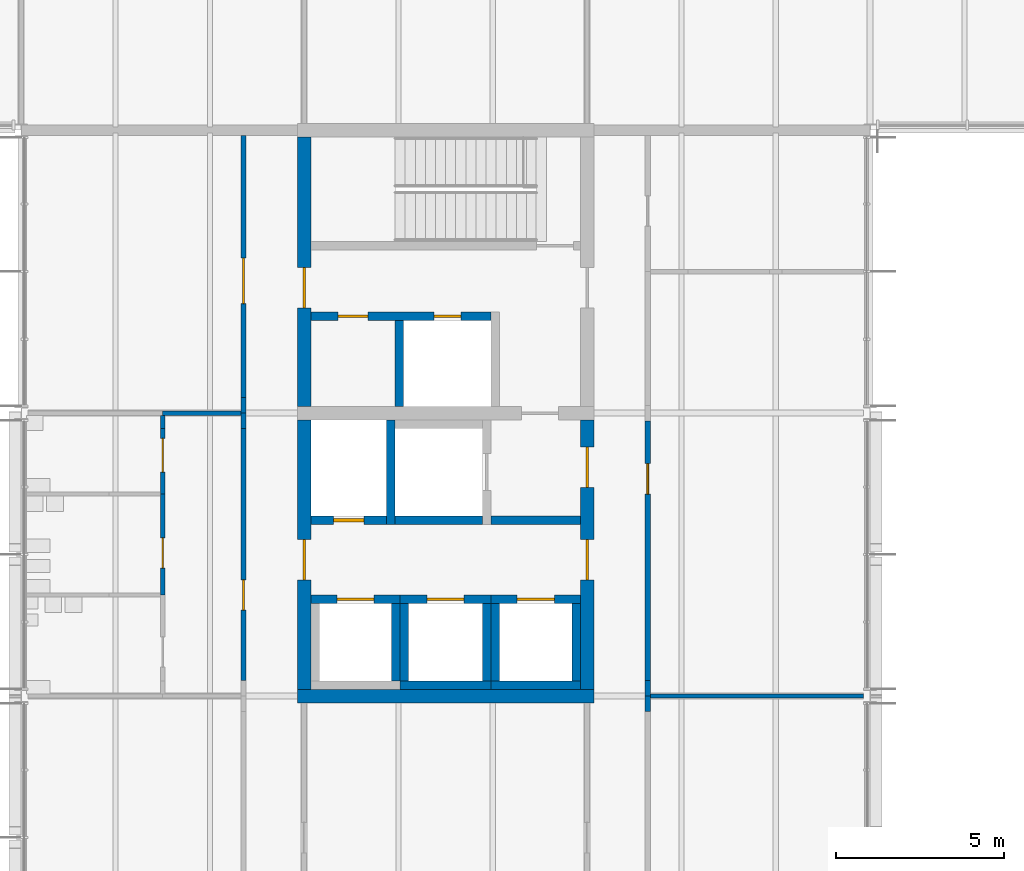
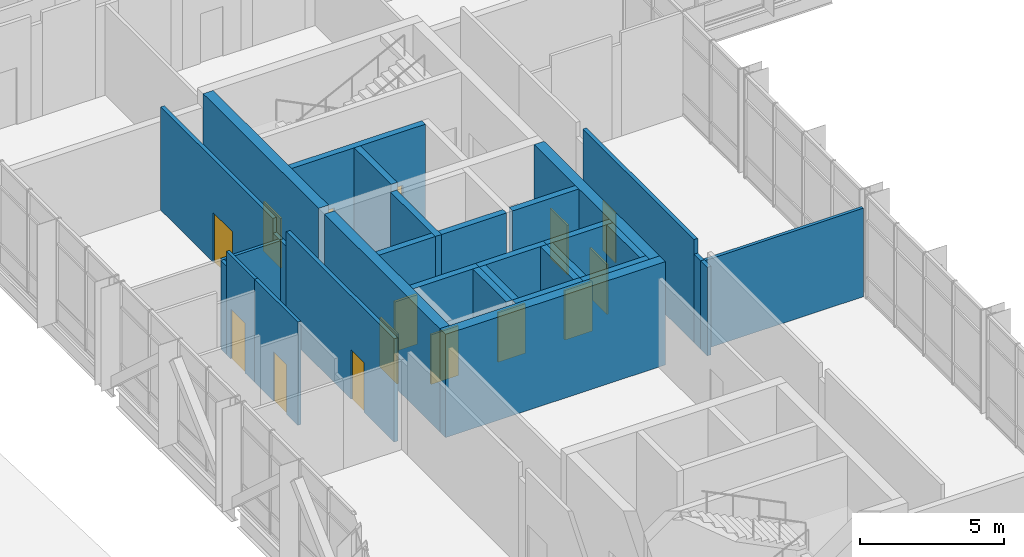
# One storey, part 35 of 76: 32 walls, 15 doors, 15 openings.
"""IFC4 building model written with IfcOpenShell, lengths in metres."""

import ifcopenshell
import ifcopenshell.guid

model = None  # the IFC model being written
_history = None  # IfcOwnerHistory: only IFC2X3 demands one
_inside = {}  # id of a spatial element -> (the spatial element, [elements in it])
_under = {}  # id of a project, library or spatial element -> (it, [spatial elements below it])
_declared = {}  # id of a project -> (the project, [libraries it declares])
_typed = {}  # id of a type object -> (the type object, [elements of that type])
_made_of = {}  # id of a material, layer set ... -> (it, [elements and type objects made of it])


def new_model(schema):
    """Start an empty IFC model of exactly this schema.

    Asked for "IFC4X3", IfcOpenShell would pick the latest addendum, in which some entities
    have other attributes; the version numbers below select the first issue.
    IFC2X3 requires an IfcOwnerHistory on every rooted entity: one is made here for all.
    """
    global model, _history
    if schema == "IFC4X3":
        model = ifcopenshell.file(schema_version=(4, 3, 0, 0))
    else:
        model = ifcopenshell.file(schema=schema)
    _inside.clear()
    _under.clear()
    _declared.clear()
    _typed.clear()
    _made_of.clear()
    _history = None
    if model.schema == "IFC2X3":
        org = make("IfcOrganization", Name="unknown")
        user = make(
            "IfcPersonAndOrganization",
            ThePerson=make("IfcPerson", FamilyName="unknown"),
            TheOrganization=org,
        )
        app = make(
            "IfcApplication",
            ApplicationDeveloper=org,
            Version="unknown",
            ApplicationFullName="unknown",
            ApplicationIdentifier="unknown",
        )
        _history = make(
            "IfcOwnerHistory",
            OwningUser=user,
            OwningApplication=app,
            ChangeAction="ADDED",
            CreationDate=0,
        )
    return model


def make(cls, **values):
    """One entity of the class cls with the attributes given. An attribute that is None is left unset."""
    return model.create_entity(
        cls, **{name: value for name, value in values.items() if value is not None}
    )


def rooted(cls, **values):
    """An entity with a GlobalId (a new one), such as an element, a storey or a relation."""
    return make(cls, GlobalId=ifcopenshell.guid.new(), OwnerHistory=_history, **values)


def si_unit(unit_type, name, prefix=None):
    """IfcSIUnit, for example si_unit("LENGTHUNIT", "METRE", prefix="MILLI")."""
    return make("IfcSIUnit", UnitType=unit_type, Prefix=prefix, Name=name)


def assignment(units):
    """IfcUnitAssignment: the units of a project."""
    return None if units is None else make("IfcUnitAssignment", Units=units)


def point(xyz):
    """IfcCartesianPoint."""
    return None if xyz is None else make("IfcCartesianPoint", Coordinates=xyz)


def direction(xyz):
    """IfcDirection."""
    return None if xyz is None else make("IfcDirection", DirectionRatios=xyz)


def frame(location, z_axis=None, x_axis=None):
    """IfcAxis2Placement3D, a coordinate frame: its origin and axes. An axis left out is left unset."""
    return make(
        "IfcAxis2Placement3D",
        Location=point(location),
        Axis=direction(z_axis),
        RefDirection=direction(x_axis),
    )


def frame_2d(location, x_axis=None):
    """IfcAxis2Placement2D, a coordinate frame in the plane: its origin and x axis."""
    return make(
        "IfcAxis2Placement2D", Location=point(location), RefDirection=direction(x_axis)
    )


def origin():
    """The frame at (0, 0, 0) with its axes left unset."""
    return frame((0.0, 0.0, 0.0))


def place(relative_to, where):
    """IfcLocalPlacement: puts the frame where relative to a parent placement (None: the world)."""
    return make(
        "IfcLocalPlacement", PlacementRelTo=relative_to, RelativePlacement=where
    )


def context(
    kind, dimensions, precision=None, world=None, true_north=None, identifier=None
):
    """IfcGeometricRepresentationContext, for example the 3D "Model" context."""
    return make(
        "IfcGeometricRepresentationContext",
        ContextIdentifier=identifier,
        ContextType=kind,
        CoordinateSpaceDimension=dimensions,
        Precision=precision,
        WorldCoordinateSystem=world,
        TrueNorth=true_north,
    )


def subcontext(parent, identifier, kind, view, scale=None):
    """IfcGeometricRepresentationSubContext, for example "Body" below "Model"."""
    return make(
        "IfcGeometricRepresentationSubContext",
        ContextIdentifier=identifier,
        ContextType=kind,
        ParentContext=parent,
        TargetScale=scale,
        TargetView=view,
    )


def project(units=None, contexts=None):
    """IfcProject with its units and contexts."""
    return rooted(
        "IfcProject",
        Name="project",
        RepresentationContexts=contexts,
        UnitsInContext=assignment(units),
    )


def spatial(cls, under=None, at=None, **own):
    """A site, building, storey or space (cls), placed at a placement, below another one or the project."""
    s = rooted(cls, ObjectPlacement=at, **own)
    if under is not None:
        _under.setdefault(under.id(), (under, []))[1].append(s)
    return s


def profile(cls, at=None, kind="AREA", **sizes):
    """A parametric profile (cls). Its sizes go by their IFC names, for example OverallWidth=200.0."""
    return make(cls, ProfileType=kind, Position=at, **sizes)


def rectangle(**sizes):
    """IfcRectangleProfileDef."""
    return profile("IfcRectangleProfileDef", **sizes)


def extrude(swept, where, along, depth):
    """IfcExtrudedAreaSolid: the profile swept, set in the frame where, extruded along a direction by depth."""
    return make(
        "IfcExtrudedAreaSolid",
        SweptArea=swept,
        Position=where,
        ExtrudedDirection=direction(along),
        Depth=depth,
    )


def shape(context_of_items, identifier, shape_type, items):
    """IfcShapeRepresentation: the items that make up one representation, for example the "Body"."""
    return make(
        "IfcShapeRepresentation",
        ContextOfItems=context_of_items,
        RepresentationIdentifier=identifier,
        RepresentationType=shape_type,
        Items=items,
    )


def material(Name=None, Category=None):
    """IfcMaterial."""
    return make("IfcMaterial", Name=Name, Category=Category)


def layer(
    of_material, thickness, ventilated=None, Name=None, Category=None, Priority=None
):
    """IfcMaterialLayer: one layer of a wall or slab, of a material (None: an air gap)."""
    return make(
        "IfcMaterialLayer",
        Material=of_material,
        LayerThickness=thickness,
        IsVentilated=ventilated,
        Name=Name,
        Category=Category,
        Priority=Priority,
    )


def layer_set(layers, Name=None):
    """IfcMaterialLayerSet."""
    return make("IfcMaterialLayerSet", MaterialLayers=layers, LayerSetName=Name)


def made_of(thing, what):
    """Note that an element or type object is made of a material, layer set ...; save() writes the relation."""
    if what is not None:
        _made_of.setdefault(what.id(), (what, []))[1].append(thing)
    return thing


def type_object(cls, material=None, **own):
    """A type object (cls), such as IfcWallType, which elements share."""
    return made_of(rooted(cls, **own), material)


def element(
    cls,
    number,
    at=None,
    inside=None,
    cuts=None,
    type_object=None,
    material=None,
    context=None,
    identifier="Body",
    shape_type=None,
    held_by="IfcProductDefinitionShape",
    body=None,
    shapes=None,
    **own,
):
    """One element of the class cls, such as IfcWall. Its Tag is "e" and its number.

    at: its placement. inside: the storey or other place that contains it. cuts: it is an
    opening in that element (IfcRelVoidsElement). A single representation is given by context,
    identifier, shape_type and body (its items); several are given by shapes. held_by: the class
    of the entity that holds the representations. save() writes the other relations.
    """
    e = rooted(cls, Tag="e%d" % number, ObjectPlacement=at, **own)
    if body is not None:
        shapes = [shape(context, identifier, shape_type, body)]
    if shapes is not None:
        e.Representation = make(held_by, Representations=shapes)
    if inside is not None:
        _inside.setdefault(inside.id(), (inside, []))[1].append(e)
    if cuts is not None:
        rooted(
            "IfcRelVoidsElement", RelatingBuildingElement=cuts, RelatedOpeningElement=e
        )
    if type_object is not None:
        _typed.setdefault(type_object.id(), (type_object, []))[1].append(e)
    return made_of(e, material)


def fill(opening, filler):
    """IfcRelFillsElement: the door or window that sits in an opening."""
    return rooted(
        "IfcRelFillsElement",
        RelatingOpeningElement=opening,
        RelatedBuildingElement=filler,
    )


def aggregate(whole, parts):
    """IfcRelAggregates: a whole, such as a stair, and the parts it consists of."""
    return rooted("IfcRelAggregates", RelatingObject=whole, RelatedObjects=parts)


def save(model, path):
    """Write the relations noted so far, then the file.

    IfcRelAggregates (storeys below a building ...), IfcRelContainedInSpatialStructure (elements
    in a storey), IfcRelDefinesByType, IfcRelAssociatesMaterial and IfcRelDeclares: one each for
    every whole, place, type object, material and project.
    """
    for whole, parts in _under.values():
        aggregate(whole, parts)
    for where, things in _inside.values():
        rooted(
            "IfcRelContainedInSpatialStructure",
            RelatedElements=things,
            RelatingStructure=where,
        )
    for kind, things in _typed.values():
        rooted("IfcRelDefinesByType", RelatedObjects=things, RelatingType=kind)
    for what, things in _made_of.values():
        rooted("IfcRelAssociatesMaterial", RelatedObjects=things, RelatingMaterial=what)
    for by, libraries in _declared.values():
        rooted("IfcRelDeclares", RelatingContext=by, RelatedDefinitions=libraries)
    model.write(path)


model = new_model("IFC4")

# Units and contexts
model_context = context("Model", 3, precision=1e-05, world=origin(), true_north=direction((0.0, 1.0)))
body_context = subcontext(model_context, "Body", "Model", "MODEL_VIEW")
ifc_project = project(units=[si_unit("LENGTHUNIT", "METRE"), si_unit("AREAUNIT", "SQUARE_METRE"), si_unit("VOLUMEUNIT", "CUBIC_METRE"), si_unit("PLANEANGLEUNIT", "RADIAN"), si_unit("MASSUNIT", "GRAM", prefix="KILO")], contexts=[model_context])

# Site, building, storey
site_placement = place(None, origin())
site = spatial("IfcSite", under=ifc_project, at=site_placement, CompositionType="ELEMENT")
building_placement = place(site_placement, origin())
building = spatial("IfcBuilding", under=site, at=building_placement, Name="Hlaing Beacon Police Headquarters", CompositionType="ELEMENT")
storey_placement = place(building_placement, frame((0.0, 0.0, 18.89990234375)))
storey = spatial("IfcBuildingStorey", under=building, at=storey_placement, Name="L04", CompositionType="ELEMENT", Elevation=18.89990234375)

# Wall
ifc_material_1 = material(Name="Concrete C60/75", Category="concrete")
ifc_layer_1 = layer(ifc_material_1, 0.39990234375)
ifc_layer_set_1 = layer_set([ifc_layer_1], Name="Concrete C60/75")
wall_type_1 = type_object("IfcWallType", Name="Core shear wall 400", PredefinedType="SHEAR", material=ifc_layer_set_1)
wall_1_placement = place(storey_placement, frame((109.0, 50.39990234375, 0.0), z_axis=(0.0, 0.0, 1.0), x_axis=(1.0, 0.0, 0.0)))
element("IfcWall", 1, at=wall_1_placement, inside=storey, type_object=wall_type_1, Name="Core shear wall", PredefinedType="SHEAR", context=body_context, shape_type="SweptSolid", body=[
    extrude(rectangle(XDim=8.800048828125, YDim=0.39990234375, at=frame_2d((4.39990234375, 0.0))), origin(), (0.0, 0.0, 1.0), 4.3701171875),
])

# Wall, opening, door
wall_2_placement = place(storey_placement, frame((109.199951171875, 50.60009765625, 0.0), z_axis=(0.0, 0.0, 1.0), x_axis=(0.0, 1.0, 0.0)))
wall_2 = element("IfcWall", 2, at=wall_2_placement, inside=storey, type_object=wall_type_1, Name="Core shear wall", PredefinedType="SHEAR", context=body_context, shape_type="SweptSolid", body=[
    extrude(rectangle(XDim=8.0, YDim=0.39990234375, at=frame_2d((4.0, 0.0))), origin(), (0.0, 0.0, 1.0), 4.3701171875),
])
opening_1_placement = place(wall_2_placement, frame((3.25, 0.0, 0.0)))
opening_1 = element("IfcOpeningElement", 3, at=opening_1_placement, cuts=wall_2, Name="Opening L04-901", PredefinedType="OPENING", context=body_context, shape_type="SweptSolid", body=[
    extrude(rectangle(XDim=1.199951171875, YDim=2.10009765625, at=frame_2d((0.60009765625, 1.050048828125))), frame((0.0, 0.2099609375, 0.0), z_axis=(0.0, -1.0, 0.0), x_axis=(1.0, 0.0, 0.0)), (0.0, 0.0, 1.0), 0.419921875),
])
ifc_material_2 = material(Name="Steel fire door leaf", Category="steel")
ifc_layer_2 = layer(ifc_material_2, 0.070068359375)
ifc_layer_set_2 = layer_set([ifc_layer_2], Name="Steel fire door leaf")
door_type_1 = type_object("IfcDoorType", Name="Steel fire door FD60S 1200x2100", OperationType="SINGLE_SWING_LEFT", PredefinedType="DOOR", material=ifc_layer_set_2)
door_1_placement = place(opening_1_placement, frame((1.199951171875, 0.0, 0.0), z_axis=(0.0, 0.0, 1.0), x_axis=(-1.0, 0.0, 0.0)))
door_1 = element("IfcDoor", 4, at=door_1_placement, inside=storey, type_object=door_type_1, Name="Door Lift Lobby Entry", OperationType="SINGLE_SWING_LEFT", OverallHeight=2.10009765625, OverallWidth=1.199951171875, PredefinedType="DOOR", context=body_context, shape_type="SweptSolid", body=[
    extrude(rectangle(XDim=1.199951171875, YDim=2.10009765625, at=frame_2d((0.599853515625, 1.050048828125))), frame((0.0, 0.034912109375, 0.0), z_axis=(0.0, -1.0, 0.0), x_axis=(1.0, 0.0, 0.0)), (0.0, 0.0, 1.0), 0.070068359375),
])
fill(opening_1, door_1)

# Wall, openings, doors
wall_3_placement = place(storey_placement, frame((117.60009765625, 50.60009765625, 0.0), z_axis=(0.0, 0.0, 1.0), x_axis=(0.0, 1.0, 0.0)))
wall_3 = element("IfcWall", 5, at=wall_3_placement, inside=storey, type_object=wall_type_1, Name="Core shear wall", PredefinedType="SHEAR", context=body_context, shape_type="SweptSolid", body=[
    extrude(rectangle(XDim=8.0, YDim=0.39990234375, at=frame_2d((4.0, 0.0))), origin(), (0.0, 0.0, 1.0), 4.3701171875),
])
opening_2_placement = place(wall_3_placement, frame((3.25, 0.0, 0.0)))
opening_2 = element("IfcOpeningElement", 6, at=opening_2_placement, cuts=wall_3, Name="Opening L04-902", PredefinedType="OPENING", context=body_context, shape_type="SweptSolid", body=[
    extrude(rectangle(XDim=1.199951171875, YDim=2.10009765625, at=frame_2d((0.60009765625, 1.050048828125))), frame((0.0, 0.2099609375, 0.0), z_axis=(0.0, -1.0, 0.0), x_axis=(1.0, 0.0, 0.0)), (0.0, 0.0, 1.0), 0.419921875),
])
opening_3_placement = place(wall_3_placement, frame((6.0, 0.0, 0.0)))
opening_3 = element("IfcOpeningElement", 7, at=opening_3_placement, cuts=wall_3, Name="Opening L04-903", PredefinedType="OPENING", context=body_context, shape_type="SweptSolid", body=[
    extrude(rectangle(XDim=1.199951171875, YDim=2.10009765625, at=frame_2d((0.60009765625, 1.050048828125))), frame((0.0, 0.2099609375, 0.0), z_axis=(0.0, -1.0, 0.0), x_axis=(1.0, 0.0, 0.0)), (0.0, 0.0, 1.0), 0.419921875),
])
door_2_placement = place(opening_2_placement, origin())
door_2 = element("IfcDoor", 8, at=door_2_placement, inside=storey, type_object=door_type_1, Name="Door Lift Lobby Entry", OperationType="SINGLE_SWING_RIGHT", OverallHeight=2.10009765625, OverallWidth=1.199951171875, PredefinedType="DOOR", context=body_context, shape_type="SweptSolid", body=[
    extrude(rectangle(XDim=1.199951171875, YDim=2.10009765625, at=frame_2d((0.60009765625, 1.050048828125))), frame((0.0, 0.03515625, 0.0), z_axis=(0.0, -1.0, 0.0), x_axis=(1.0, 0.0, 0.0)), (0.0, 0.0, 1.0), 0.070068359375),
])
fill(opening_2, door_2)
door_3_placement = place(opening_3_placement, origin())
door_3 = element("IfcDoor", 9, at=door_3_placement, inside=storey, type_object=door_type_1, Name="Door Firefighting Lobby Entry", OperationType="SINGLE_SWING_LEFT", OverallHeight=2.10009765625, OverallWidth=1.199951171875, PredefinedType="DOOR", context=body_context, shape_type="SweptSolid", body=[
    extrude(rectangle(XDim=1.199951171875, YDim=2.10009765625, at=frame_2d((0.60009765625, 1.050048828125))), frame((0.0, 0.03515625, 0.0), z_axis=(0.0, -1.0, 0.0), x_axis=(1.0, 0.0, 0.0)), (0.0, 0.0, 1.0), 0.070068359375),
])
fill(opening_3, door_3)

# Wall, opening, door
wall_4_placement = place(storey_placement, frame((109.199951171875, 59.0, 0.0), z_axis=(0.0, 0.0, 1.0), x_axis=(0.0, 1.0, 0.0)))
wall_4 = element("IfcWall", 10, at=wall_4_placement, inside=storey, type_object=wall_type_1, Name="Core shear wall", PredefinedType="SHEAR", context=body_context, shape_type="SweptSolid", body=[
    extrude(rectangle(XDim=8.0, YDim=0.39990234375, at=frame_2d((4.0, 0.0))), origin(), (0.0, 0.0, 1.0), 4.3701171875),
])
opening_4_placement = place(wall_4_placement, frame((2.925048828125, 0.0, 0.0)))
opening_4 = element("IfcOpeningElement", 11, at=opening_4_placement, cuts=wall_4, Name="Opening L04-907", PredefinedType="OPENING", context=body_context, shape_type="SweptSolid", body=[
    extrude(rectangle(XDim=1.199951171875, YDim=2.10009765625, at=frame_2d((0.60009765625, 1.050048828125))), frame((0.0, 0.2099609375, 0.0), z_axis=(0.0, -1.0, 0.0), x_axis=(1.0, 0.0, 0.0)), (0.0, 0.0, 1.0), 0.419921875),
])
door_4_placement = place(opening_4_placement, frame((1.199951171875, 0.0, 0.0), z_axis=(0.0, 0.0, 1.0), x_axis=(-1.0, 0.0, 0.0)))
door_4 = element("IfcDoor", 12, at=door_4_placement, inside=storey, type_object=door_type_1, Name="Door Stair Lobby ST-M Entry", OperationType="SINGLE_SWING_LEFT", OverallHeight=2.10009765625, OverallWidth=1.199951171875, PredefinedType="DOOR", context=body_context, shape_type="SweptSolid", body=[
    extrude(rectangle(XDim=1.199951171875, YDim=2.10009765625, at=frame_2d((0.599853515625, 1.050048828125))), frame((0.0, 0.034912109375, 0.0), z_axis=(0.0, -1.0, 0.0), x_axis=(1.0, 0.0, 0.0)), (0.0, 0.0, 1.0), 0.070068359375),
])
fill(opening_4, door_4)

# Walls
ifc_material_3 = material(Name="Gypsum board partition")
ifc_layer_3 = layer(ifc_material_3, 0.14990234375)
ifc_layer_set_3 = layer_set([ifc_layer_3], Name="Gypsum board partition")
wall_type_2 = type_object("IfcWallType", Name="Corridor wall EI 30 150", PredefinedType="PARTITIONING", material=ifc_layer_set_3)
wall_5_placement = place(storey_placement, frame((119.39990234375, 49.93994140625, 0.0), z_axis=(0.0, 0.0, 1.0), x_axis=(0.0, 1.0, 0.0)))
element("IfcWall", 13, at=wall_5_placement, inside=storey, type_object=wall_type_2, Name="Corridor wall EI 30 150", PredefinedType="PARTITIONING", context=body_context, shape_type="SweptSolid", body=[
    extrude(rectangle(XDim=0.4599609375, YDim=0.14990234375, at=frame_2d((0.22998046875, 0.0))), origin(), (0.0, 0.0, 1.0), 3.74609375),
])
wall_6_placement = place(storey_placement, frame((119.39990234375, 50.39990234375, 0.0), z_axis=(0.0, 0.0, 1.0), x_axis=(0.0, 1.0, 0.0)))
element("IfcWall", 14, at=wall_6_placement, inside=storey, type_object=wall_type_2, Name="Corridor wall EI 30 150", PredefinedType="PARTITIONING", context=body_context, shape_type="SweptSolid", body=[
    extrude(rectangle(XDim=0.460205078125, YDim=0.14990234375, at=frame_2d((0.22998046875, 0.0))), origin(), (0.0, 0.0, 1.0), 3.74609375),
])

# Wall, opening, door
wall_7_placement = place(storey_placement, frame((119.39990234375, 50.860107421875, 0.0), z_axis=(0.0, 0.0, 1.0), x_axis=(0.0, 1.0, 0.0)))
wall_7 = element("IfcWall", 15, at=wall_7_placement, inside=storey, type_object=wall_type_2, Name="Corridor wall EI 30 150", PredefinedType="PARTITIONING", context=body_context, shape_type="SweptSolid", body=[
    extrude(rectangle(XDim=7.7099609375, YDim=0.14990234375, at=frame_2d((3.85498046875, 0.0))), origin(), (0.0, 0.0, 1.0), 4.3701171875),
])
opening_5_placement = place(wall_7_placement, frame((5.5400390625, 0.0, 0.0)))
opening_5 = element("IfcOpeningElement", 16, at=opening_5_placement, cuts=wall_7, Name="Opening L04-002", PredefinedType="OPENING", context=body_context, shape_type="SweptSolid", body=[
    extrude(rectangle(XDim=0.89990234375, YDim=2.10009765625, at=frame_2d((0.449951171875, 1.050048828125))), frame((0.0, 0.0849609375, 0.0), z_axis=(0.0, -1.0, 0.0), x_axis=(1.0, 0.0, 0.0)), (0.0, 0.0, 1.0), 0.169921875),
])
ifc_material_4 = material(Name="Hardwood door leaf", Category="wood")
ifc_layer_4 = layer(ifc_material_4, 0.050048828125)
ifc_layer_set_4 = layer_set([ifc_layer_4], Name="Hardwood door leaf")
door_type_2 = type_object("IfcDoorType", Name="Fire door FD30S 900x2100", OperationType="SINGLE_SWING_LEFT", PredefinedType="DOOR", material=ifc_layer_set_4)
door_5_placement = place(opening_5_placement, frame((0.89990234375, 0.0, 0.0), z_axis=(0.0, 0.0, 1.0), x_axis=(-1.0, 0.0, 0.0)))
door_5 = element("IfcDoor", 17, at=door_5_placement, inside=storey, type_object=door_type_2, Name="Door Source Management Office", OperationType="SINGLE_SWING_LEFT", OverallHeight=2.10009765625, OverallWidth=0.89990234375, PredefinedType="DOOR", context=body_context, shape_type="SweptSolid", body=[
    extrude(rectangle(XDim=0.89990234375, YDim=2.10009765625, at=frame_2d((0.449951171875, 1.050048828125))), frame((0.0, 0.025146484375, 0.0), z_axis=(0.0, -1.0, 0.0), x_axis=(1.0, 0.0, 0.0)), (0.0, 0.0, 1.0), 0.050048828125),
])
fill(opening_5, door_5)

wall_8_placement = place(storey_placement, frame((107.39990234375, 50.860107421875, 0.0), z_axis=(0.0, 0.0, 1.0), x_axis=(0.0, 1.0, 0.0)))
wall_8 = element("IfcWall", 18, at=wall_8_placement, inside=storey, type_object=wall_type_2, Name="Corridor wall EI 30 150", PredefinedType="PARTITIONING", context=body_context, shape_type="SweptSolid", body=[
    extrude(rectangle(XDim=7.47998046875, YDim=0.14990234375, at=frame_2d((3.739990234375, 0.0))), origin(), (0.0, 0.0, 1.0), 4.3701171875),
])
opening_6_placement = place(wall_8_placement, frame((2.090087890625, 0.0, 0.0)))
opening_6 = element("IfcOpeningElement", 19, at=opening_6_placement, cuts=wall_8, Name="Opening L04-009", PredefinedType="OPENING", context=body_context, shape_type="SweptSolid", body=[
    extrude(rectangle(XDim=0.89990234375, YDim=2.10009765625, at=frame_2d((0.449951171875, 1.050048828125))), frame((0.0, 0.0849609375, 0.0), z_axis=(0.0, -1.0, 0.0), x_axis=(1.0, 0.0, 0.0)), (0.0, 0.0, 1.0), 0.169921875),
])
door_6_placement = place(opening_6_placement, origin())
door_6 = element("IfcDoor", 20, at=door_6_placement, inside=storey, type_object=door_type_2, Name="Door WC Lobby", OperationType="SINGLE_SWING_LEFT", OverallHeight=2.10009765625, OverallWidth=0.89990234375, PredefinedType="DOOR", context=body_context, shape_type="SweptSolid", body=[
    extrude(rectangle(XDim=0.89990234375, YDim=2.10009765625, at=frame_2d((0.449951171875, 1.050048828125))), frame((0.0, 0.02490234375, 0.0), z_axis=(0.0, -1.0, 0.0), x_axis=(1.0, 0.0, 0.0)), (0.0, 0.0, 1.0), 0.050048828125),
])
fill(opening_6, door_6)

# Walls
for number, where, z_axis, x_axis, name in (
    (21, (107.39990234375, 58.340087890625, 0.0), (0.0, 0.0, 1.0), (0.0, 1.0, 0.0), "Corridor wall EI 30 150"),
    (22, (107.39990234375, 58.800048828125, 0.0), (0.0, 0.0, 1.0), (0.0, 1.0, 0.0), "Corridor wall EI 30 150"),
):
    element("IfcWall", number, at=place(storey_placement, frame(where, z_axis=z_axis, x_axis=x_axis)), inside=storey, type_object=wall_type_2, Name=name, PredefinedType="PARTITIONING", context=body_context, shape_type="SweptSolid", body=[
        extrude(rectangle(XDim=0.4599609375, YDim=0.14990234375, at=frame_2d((0.22998046875, 0.0))), origin(), (0.0, 0.0, 1.0), 3.74609375),
    ])

# Wall, opening, door
wall_9_placement = place(storey_placement, frame((107.39990234375, 59.260009765625, 0.0), z_axis=(0.0, 0.0, 1.0), x_axis=(0.0, 1.0, 0.0)))
wall_9 = element("IfcWall", 23, at=wall_9_placement, inside=storey, type_object=wall_type_2, Name="Corridor wall EI 30 150", PredefinedType="PARTITIONING", context=body_context, shape_type="SweptSolid", body=[
    extrude(rectangle(XDim=7.7900390625, YDim=0.14990234375, at=frame_2d((3.89501953125, 0.0))), origin(), (0.0, 0.0, 1.0), 4.3701171875),
])
opening_7_placement = place(wall_9_placement, frame((2.7900390625, 0.0, 0.0)))
opening_7 = element("IfcOpeningElement", 24, at=opening_7_placement, cuts=wall_9, Name="Opening L04-011", PredefinedType="OPENING", context=body_context, shape_type="SweptSolid", body=[
    extrude(rectangle(XDim=1.35009765625, YDim=2.10009765625, at=frame_2d((0.675048828125, 1.050048828125))), frame((0.0, 0.0849609375, 0.0), z_axis=(0.0, -1.0, 0.0), x_axis=(1.0, 0.0, 0.0)), (0.0, 0.0, 1.0), 0.169921875),
])
ifc_material_5 = material(Name="Hardwood door leaf", Category="wood")
ifc_layer_5 = layer(ifc_material_5, 0.050048828125)
ifc_layer_set_5 = layer_set([ifc_layer_5], Name="Hardwood door leaf")
door_type_3 = type_object("IfcDoorType", Name="Fire leaf-and-a-half door FD30S 1350x2100", OperationType="DOUBLE_DOOR_SINGLE_SWING", PredefinedType="DOOR", material=ifc_layer_set_5)
door_7_placement = place(opening_7_placement, origin())
door_7 = element("IfcDoor", 25, at=door_7_placement, inside=storey, type_object=door_type_3, Name="Door Serious and Organised Crime Analysts' Office", OperationType="DOUBLE_DOOR_SINGLE_SWING", OverallHeight=2.10009765625, OverallWidth=1.35009765625, PredefinedType="DOOR", context=body_context, shape_type="SweptSolid", body=[
    extrude(rectangle(XDim=1.35009765625, YDim=2.10009765625, at=frame_2d((0.675048828125, 1.050048828125))), frame((0.0, 0.02490234375, 0.0), z_axis=(0.0, -1.0, 0.0), x_axis=(1.0, 0.0, 0.0)), (0.0, 0.0, 1.0), 0.050048828125),
])
fill(opening_7, door_7)

# Wall
ifc_material_6 = material(Name="Gypsum board partition")
ifc_layer_6 = layer(ifc_material_6, 0.125)
ifc_layer_set_6 = layer_set([ifc_layer_6], Name="Gypsum board partition")
wall_type_3 = type_object("IfcWallType", Name="Partition 125", PredefinedType="PARTITIONING", material=ifc_layer_set_6)
wall_10_placement = place(storey_placement, frame((119.47509765625, 50.39990234375, 0.0), z_axis=(0.0, 0.0, 1.0), x_axis=(1.0, 0.0, 0.0)))
element("IfcWall", 26, at=wall_10_placement, inside=storey, type_object=wall_type_3, Name="Partition 125", PredefinedType="PARTITIONING", context=body_context, shape_type="SweptSolid", body=[
    extrude(rectangle(XDim=6.327880859375, YDim=0.125, at=frame_2d((3.1640625, 0.0))), origin(), (0.0, 0.0, 1.0), 3.74609375),
])

# Wall, opening, door
wall_11_placement = place(storey_placement, frame((105.0, 56.39990234375, 0.0), z_axis=(0.0, 0.0, 1.0), x_axis=(0.0, 1.0, 0.0)))
wall_11 = element("IfcWall", 27, at=wall_11_placement, inside=storey, type_object=wall_type_3, Name="Partition 125", PredefinedType="PARTITIONING", context=body_context, shape_type="SweptSolid", body=[
    extrude(rectangle(XDim=1.9521484375, YDim=0.125, at=frame_2d((0.97607421875, 0.0))), origin(), (0.0, 0.0, 1.0), 4.3701171875),
])
opening_8_placement = place(wall_11_placement, frame((0.64990234375, 0.0, 0.0)))
opening_8 = element("IfcOpeningElement", 28, at=opening_8_placement, cuts=wall_11, Name="Opening L04-007", PredefinedType="OPENING", context=body_context, shape_type="SweptSolid", body=[
    extrude(rectangle(XDim=1.0, YDim=2.10009765625, at=frame_2d((0.5, 1.050048828125))), frame((0.0, 0.072509765625, 0.0), z_axis=(0.0, -1.0, 0.0), x_axis=(1.0, 0.0, 0.0)), (0.0, 0.0, 1.0), 0.14501953125),
])
ifc_material_7 = material(Name="Hardwood door leaf", Category="wood")
ifc_layer_7 = layer(ifc_material_7, 0.0400390625)
ifc_layer_set_7 = layer_set([ifc_layer_7], Name="Hardwood door leaf")
door_type_4 = type_object("IfcDoorType", Name="Door 1000x2100", OperationType="SINGLE_SWING_LEFT", PredefinedType="DOOR", material=ifc_layer_set_7)
door_8_placement = place(opening_8_placement, origin())
door_8 = element("IfcDoor", 29, at=door_8_placement, inside=storey, type_object=door_type_4, Name="Door Accessible WC", OperationType="SINGLE_SWING_LEFT", OverallHeight=2.10009765625, OverallWidth=1.0, PredefinedType="DOOR", context=body_context, shape_type="SweptSolid", body=[
    extrude(rectangle(XDim=1.0, YDim=2.10009765625, at=frame_2d((0.5, 1.050048828125))), frame((0.0, 0.02001953125, 0.0), z_axis=(0.0, -1.0, 0.0), x_axis=(1.0, 0.0, 0.0)), (0.0, 0.0, 1.0), 0.0400390625),
])
fill(opening_8, door_8)

# Wall
wall_12_placement = place(storey_placement, frame((105.0, 58.35205078125, 0.0), z_axis=(0.0, 0.0, 1.0), x_axis=(0.0, 1.0, 0.0)))
element("IfcWall", 30, at=wall_12_placement, inside=storey, type_object=wall_type_3, Name="Partition 125", PredefinedType="PARTITIONING", context=body_context, shape_type="SweptSolid", body=[
    extrude(rectangle(XDim=0.385009765625, YDim=0.125, at=frame_2d((0.1923828125, 0.0))), origin(), (0.0, 0.0, 1.0), 3.74609375),
])

# Wall, opening, door
wall_13_placement = place(storey_placement, frame((105.0, 53.39990234375, 0.0), z_axis=(0.0, 0.0, 1.0), x_axis=(0.0, 1.0, 0.0)))
wall_13 = element("IfcWall", 31, at=wall_13_placement, inside=storey, type_object=wall_type_3, Name="Partition 125", PredefinedType="PARTITIONING", context=body_context, shape_type="SweptSolid", body=[
    extrude(rectangle(XDim=3.0, YDim=0.125, at=frame_2d((1.5, 0.0))), origin(), (0.0, 0.0, 1.0), 4.3701171875),
])
opening_9_placement = place(wall_13_placement, frame((0.800048828125, 0.0, 0.0)))
opening_9 = element("IfcOpeningElement", 32, at=opening_9_placement, cuts=wall_13, Name="Opening L04-008", PredefinedType="OPENING", context=body_context, shape_type="SweptSolid", body=[
    extrude(rectangle(XDim=0.89990234375, YDim=2.10009765625, at=frame_2d((0.449951171875, 1.050048828125))), frame((0.0, 0.072509765625, 0.0), z_axis=(0.0, -1.0, 0.0), x_axis=(1.0, 0.0, 0.0)), (0.0, 0.0, 1.0), 0.14501953125),
])
ifc_material_8 = material(Name="Hardwood door leaf", Category="wood")
ifc_layer_8 = layer(ifc_material_8, 0.0400390625)
ifc_layer_set_8 = layer_set([ifc_layer_8], Name="Hardwood door leaf")
door_type_5 = type_object("IfcDoorType", Name="Door 900x2100", OperationType="SINGLE_SWING_LEFT", PredefinedType="DOOR", material=ifc_layer_set_8)
door_9_placement = place(opening_9_placement, origin())
door_9 = element("IfcDoor", 33, at=door_9_placement, inside=storey, type_object=door_type_5, Name="Door Female WC", OperationType="SINGLE_SWING_RIGHT", OverallHeight=2.10009765625, OverallWidth=0.89990234375, PredefinedType="DOOR", context=body_context, shape_type="SweptSolid", body=[
    extrude(rectangle(XDim=0.89990234375, YDim=2.10009765625, at=frame_2d((0.449951171875, 1.050048828125))), frame((0.0, 0.02001953125, 0.0), z_axis=(0.0, -1.0, 0.0), x_axis=(1.0, 0.0, 0.0)), (0.0, 0.0, 1.0), 0.0400390625),
])
fill(opening_9, door_9)

# Wall
wall_14_placement = place(storey_placement, frame((105.0, 58.800048828125, 0.0), z_axis=(0.0, 0.0, 1.0), x_axis=(1.0, 0.0, 0.0)))
element("IfcWall", 34, at=wall_14_placement, inside=storey, type_object=wall_type_3, Name="Partition 125", PredefinedType="PARTITIONING", context=body_context, shape_type="SweptSolid", body=[
    extrude(rectangle(XDim=2.324951171875, YDim=0.125, at=frame_2d((1.16259765625, 0.0))), origin(), (0.0, 0.0, 1.0), 3.74609375),
])

# Wall, opening, door
ifc_material_9 = material(Name="Concrete C40/50", Category="concrete")
ifc_layer_9 = layer(ifc_material_9, 0.25)
ifc_layer_set_9 = layer_set([ifc_layer_9], Name="Concrete C40/50")
wall_type_4 = type_object("IfcWallType", Name="Shaft wall 250", PredefinedType="SOLIDWALL", material=ifc_layer_set_9)
wall_15_placement = place(storey_placement, frame((109.39990234375, 55.625, 0.0), z_axis=(0.0, 0.0, 1.0), x_axis=(1.0, 0.0, 0.0)))
wall_15 = element("IfcWall", 35, at=wall_15_placement, inside=storey, type_object=wall_type_4, Name="Lobby wall", PredefinedType="SOLIDWALL", context=body_context, shape_type="SweptSolid", body=[
    extrude(rectangle(XDim=2.25, YDim=0.25, at=frame_2d((1.125, 0.0))), origin(), (0.0, 0.0, 1.0), 4.3701171875),
])
opening_10_placement = place(wall_15_placement, frame((0.675048828125, 0.0, 0.0)))
opening_10 = element("IfcOpeningElement", 36, at=opening_10_placement, cuts=wall_15, Name="Opening L04-905", PredefinedType="OPENING", context=body_context, shape_type="SweptSolid", body=[
    extrude(rectangle(XDim=0.89990234375, YDim=2.10009765625, at=frame_2d((0.449951171875, 1.050048828125))), frame((0.0, 0.135009765625, 0.0), z_axis=(0.0, -1.0, 0.0), x_axis=(1.0, 0.0, 0.0)), (0.0, 0.0, 1.0), 0.27001953125),
])
ifc_material_10 = material(Name="Steel fire door leaf", Category="steel")
ifc_layer_10 = layer(ifc_material_10, 0.10009765625)
ifc_layer_set_10 = layer_set([ifc_layer_10], Name="Steel fire door leaf")
door_type_6 = type_object("IfcDoorType", Name="Steel fire door FD120 900x2100", OperationType="SINGLE_SWING_LEFT", PredefinedType="DOOR", material=ifc_layer_set_10)
door_10_placement = place(opening_10_placement, origin())
door_10 = element("IfcDoor", 37, at=door_10_placement, inside=storey, type_object=door_type_6, Name="Door Electrical Riser Room", OperationType="SINGLE_SWING_LEFT", OverallHeight=2.10009765625, OverallWidth=0.89990234375, PredefinedType="DOOR", context=body_context, shape_type="SweptSolid", body=[
    extrude(rectangle(XDim=0.89990234375, YDim=2.10009765625, at=frame_2d((0.449951171875, 1.050048828125))), frame((0.0, 0.050048828125, 0.0), z_axis=(0.0, -1.0, 0.0), x_axis=(1.0, 0.0, 0.0)), (0.0, 0.0, 1.0), 0.10009765625),
])
fill(opening_10, door_10)

# Wall
wall_16_placement = place(storey_placement, frame((114.75, 55.625, 0.0), z_axis=(0.0, 0.0, 1.0), x_axis=(1.0, 0.0, 0.0)))
element("IfcWall", 38, at=wall_16_placement, inside=storey, type_object=wall_type_4, Name="Firefighting lobby wall", PredefinedType="SOLIDWALL", context=body_context, shape_type="SweptSolid", body=[
    extrude(rectangle(XDim=2.64990234375, YDim=0.25, at=frame_2d((1.324951171875, 0.0))), origin(), (0.0, 0.0, 1.0), 4.3701171875),
])

# Wall, openings, doors
wall_17_placement = place(storey_placement, frame((114.75, 61.675048828125, 0.0), z_axis=(0.0, 0.0, 1.0), x_axis=(-1.0, 0.0, 0.0)))
wall_17 = element("IfcWall", 39, at=wall_17_placement, inside=storey, type_object=wall_type_4, Name="Lobby wall", PredefinedType="SOLIDWALL", context=body_context, shape_type="SweptSolid", body=[
    extrude(rectangle(XDim=5.35009765625, YDim=0.25, at=frame_2d((2.675048828125, 0.0))), origin(), (0.0, 0.0, 1.0), 4.3701171875),
])
opening_11_placement = place(wall_17_placement, frame((3.64990234375, 0.0, 0.0)))
opening_11 = element("IfcOpeningElement", 40, at=opening_11_placement, cuts=wall_17, Name="Opening L04-906", PredefinedType="OPENING", context=body_context, shape_type="SweptSolid", body=[
    extrude(rectangle(XDim=0.89990234375, YDim=2.10009765625, at=frame_2d((0.449951171875, 1.050048828125))), frame((0.0, 0.135009765625, 0.0), z_axis=(0.0, -1.0, 0.0), x_axis=(1.0, 0.0, 0.0)), (0.0, 0.0, 1.0), 0.27001953125),
])
opening_12_placement = place(wall_17_placement, frame((0.89990234375, 0.0, 0.0)))
opening_12 = element("IfcOpeningElement", 41, at=opening_12_placement, cuts=wall_17, Name="Opening L04-909", PredefinedType="OPENING", context=body_context, shape_type="SweptSolid", body=[
    extrude(rectangle(XDim=0.800048828125, YDim=2.10009765625, at=frame_2d((0.39990234375, 1.050048828125))), frame((0.0, 0.135009765625, 0.0), z_axis=(0.0, -1.0, 0.0), x_axis=(1.0, 0.0, 0.0)), (0.0, 0.0, 1.0), 0.27001953125),
])
ifc_material_11 = material(Name="Steel fire door leaf", Category="steel")
ifc_layer_11 = layer(ifc_material_11, 0.070068359375)
ifc_layer_set_11 = layer_set([ifc_layer_11], Name="Steel fire door leaf")
door_type_7 = type_object("IfcDoorType", Name="Steel fire door FD60 800x2100", OperationType="SINGLE_SWING_LEFT", PredefinedType="DOOR", material=ifc_layer_set_11)
door_11_placement = place(opening_12_placement, origin())
door_11 = element("IfcDoor", 42, at=door_11_placement, inside=storey, type_object=door_type_7, Name="Door Services Riser", OperationType="SINGLE_SWING_RIGHT", OverallHeight=2.10009765625, OverallWidth=0.800048828125, PredefinedType="DOOR", context=body_context, shape_type="SweptSolid", body=[
    extrude(rectangle(XDim=0.800048828125, YDim=2.10009765625, at=frame_2d((0.39990234375, 1.050048828125))), frame((0.0, 0.03515625, 0.0), z_axis=(0.0, -1.0, 0.0), x_axis=(1.0, 0.0, 0.0)), (0.0, 0.0, 1.0), 0.070068359375),
])
fill(opening_12, door_11)
ifc_material_12 = material(Name="Steel fire door leaf", Category="steel")
ifc_layer_12 = layer(ifc_material_12, 0.070068359375)
ifc_layer_set_12 = layer_set([ifc_layer_12], Name="Steel fire door leaf")
door_type_8 = type_object("IfcDoorType", Name="Steel fire door FD60 900x2100", OperationType="SINGLE_SWING_LEFT", PredefinedType="DOOR", material=ifc_layer_set_12)
door_12_placement = place(opening_11_placement, origin())
door_12 = element("IfcDoor", 43, at=door_12_placement, inside=storey, type_object=door_type_8, Name="Door Cleaners' Store", OperationType="SINGLE_SWING_LEFT", OverallHeight=2.10009765625, OverallWidth=0.89990234375, PredefinedType="DOOR", context=body_context, shape_type="SweptSolid", body=[
    extrude(rectangle(XDim=0.89990234375, YDim=2.10009765625, at=frame_2d((0.449951171875, 1.050048828125))), frame((0.0, 0.03515625, 0.0), z_axis=(0.0, -1.0, 0.0), x_axis=(1.0, 0.0, 0.0)), (0.0, 0.0, 1.0), 0.070068359375),
])
fill(opening_11, door_12)

# Walls
wall_18_placement = place(storey_placement, frame((112.02490234375, 61.550048828125, 0.0), z_axis=(0.0, 0.0, 1.0), x_axis=(0.0, -1.0, 0.0)))
element("IfcWall", 44, at=wall_18_placement, inside=storey, type_object=wall_type_4, Name="Riser wall", PredefinedType="SOLIDWALL", context=body_context, shape_type="SweptSolid", body=[
    extrude(rectangle(XDim=2.550048828125, YDim=0.25, at=frame_2d((1.27490234375, 0.0))), origin(), (0.0, 0.0, 1.0), 4.3701171875),
])
wall_19_placement = place(storey_placement, frame((111.89990234375, 55.625, 0.0), z_axis=(0.0, 0.0, 1.0), x_axis=(1.0, 0.0, 0.0)))
element("IfcWall", 45, at=wall_19_placement, inside=storey, type_object=wall_type_4, Name="Lift shaft wall FL1", PredefinedType="SOLIDWALL", context=body_context, shape_type="SweptSolid", body=[
    extrude(rectangle(XDim=2.60009765625, YDim=0.25, at=frame_2d((1.300048828125, 0.0))), origin(), (0.0, 0.0, 1.0), 4.3701171875),
])
wall_20_placement = place(storey_placement, frame((111.77490234375, 55.5, 0.0), z_axis=(0.0, 0.0, 1.0), x_axis=(0.0, 1.0, 0.0)))
element("IfcWall", 46, at=wall_20_placement, inside=storey, type_object=wall_type_4, Name="Lift shaft wall FL1", PredefinedType="SOLIDWALL", context=body_context, shape_type="SweptSolid", body=[
    extrude(rectangle(XDim=3.10009765625, YDim=0.25, at=frame_2d((1.550048828125, 0.0))), origin(), (0.0, 0.0, 1.0), 4.3701171875),
])
wall_21_placement = place(storey_placement, frame((111.925048828125, 50.85009765625, 0.0), z_axis=(0.0, 0.0, 1.0), x_axis=(0.0, 1.0, 0.0)))
element("IfcWall", 47, at=wall_21_placement, inside=storey, type_object=wall_type_4, Name="Lift shaft wall PL7", PredefinedType="SOLIDWALL", context=body_context, shape_type="SweptSolid", body=[
    extrude(rectangle(XDim=2.2998046875, YDim=0.25, at=frame_2d((1.14990234375, 0.0))), origin(), (0.0, 0.0, 1.0), 4.3701171875),
])

# Wall, opening, door
wall_22_placement = place(storey_placement, frame((109.39990234375, 53.27490234375, 0.0), z_axis=(0.0, 0.0, 1.0), x_axis=(1.0, 0.0, 0.0)))
wall_22 = element("IfcWall", 48, at=wall_22_placement, inside=storey, type_object=wall_type_4, Name="Lift shaft wall PL7", PredefinedType="SOLIDWALL", context=body_context, shape_type="SweptSolid", body=[
    extrude(rectangle(XDim=2.650146484375, YDim=0.25, at=frame_2d((1.3251953125, 0.0))), origin(), (0.0, 0.0, 1.0), 4.3701171875),
])
opening_13_placement = place(wall_22_placement, frame((0.77490234375, 0.0, 0.0)))
opening_13 = element("IfcOpeningElement", 49, at=opening_13_placement, cuts=wall_22, Name="Opening LD-PL7-L04", PredefinedType="OPENING", context=body_context, shape_type="SweptSolid", body=[
    extrude(rectangle(XDim=1.10009765625, YDim=2.10009765625, at=frame_2d((0.550048828125, 1.050048828125))), frame((0.0, 0.135009765625, 0.0), z_axis=(0.0, -1.0, 0.0), x_axis=(1.0, 0.0, 0.0)), (0.0, 0.0, 1.0), 0.27001953125),
])
ifc_material_13 = material(Name="Stainless steel lift landing door", Category="steel")
ifc_layer_13 = layer(ifc_material_13, 0.06005859375)
ifc_layer_set_13 = layer_set([ifc_layer_13], Name="Stainless steel lift landing door")
door_type_9 = type_object("IfcDoorType", Name="Lift landing door 1100x2100", OperationType="DOUBLE_DOOR_SLIDING", PredefinedType="DOOR", material=ifc_layer_set_13)
door_13_placement = place(opening_13_placement, origin())
door_13 = element("IfcDoor", 50, at=door_13_placement, inside=storey, type_object=door_type_9, Name="Landing door PL7 L04", OperationType="DOUBLE_DOOR_SLIDING", OverallHeight=2.10009765625, OverallWidth=1.10009765625, PredefinedType="DOOR", context=body_context, shape_type="SweptSolid", body=[
    extrude(rectangle(XDim=1.10009765625, YDim=2.10009765625, at=frame_2d((0.550048828125, 1.050048828125))), frame((0.0, 0.0400390625, 0.0), z_axis=(0.0, -1.0, 0.0), x_axis=(1.0, 0.0, 0.0)), (0.0, 0.0, 1.0), 0.080078125),
])
fill(opening_13, door_13)

# Wall
wall_23_placement = place(storey_placement, frame((114.625, 50.85009765625, 0.0), z_axis=(0.0, 0.0, 1.0), x_axis=(0.0, 1.0, 0.0)))
element("IfcWall", 51, at=wall_23_placement, inside=storey, type_object=wall_type_4, Name="Lift shaft wall PL8", PredefinedType="SOLIDWALL", context=body_context, shape_type="SweptSolid", body=[
    extrude(rectangle(XDim=2.2998046875, YDim=0.25, at=frame_2d((1.14990234375, 0.0))), origin(), (0.0, 0.0, 1.0), 4.3701171875),
])

# Wall, opening, door
wall_24_placement = place(storey_placement, frame((112.050048828125, 53.27490234375, 0.0), z_axis=(0.0, 0.0, 1.0), x_axis=(1.0, 0.0, 0.0)))
wall_24 = element("IfcWall", 52, at=wall_24_placement, inside=storey, type_object=wall_type_4, Name="Lift shaft wall PL8", PredefinedType="SOLIDWALL", context=body_context, shape_type="SweptSolid", body=[
    extrude(rectangle(XDim=2.699951171875, YDim=0.25, at=frame_2d((1.35009765625, 0.0))), origin(), (0.0, 0.0, 1.0), 4.3701171875),
])
opening_14_placement = place(wall_24_placement, frame((0.800048828125, 0.0, 0.0)))
opening_14 = element("IfcOpeningElement", 53, at=opening_14_placement, cuts=wall_24, Name="Opening LD-PL8-L04", PredefinedType="OPENING", context=body_context, shape_type="SweptSolid", body=[
    extrude(rectangle(XDim=1.10009765625, YDim=2.10009765625, at=frame_2d((0.550048828125, 1.050048828125))), frame((0.0, 0.135009765625, 0.0), z_axis=(0.0, -1.0, 0.0), x_axis=(1.0, 0.0, 0.0)), (0.0, 0.0, 1.0), 0.27001953125),
])
door_14_placement = place(opening_14_placement, origin())
door_14 = element("IfcDoor", 54, at=door_14_placement, inside=storey, type_object=door_type_9, Name="Landing door PL8 L04", OperationType="DOUBLE_DOOR_SLIDING", OverallHeight=2.10009765625, OverallWidth=1.10009765625, PredefinedType="DOOR", context=body_context, shape_type="SweptSolid", body=[
    extrude(rectangle(XDim=1.10009765625, YDim=2.10009765625, at=frame_2d((0.550048828125, 1.050048828125))), frame((0.0, 0.0400390625, 0.0), z_axis=(0.0, -1.0, 0.0), x_axis=(1.0, 0.0, 0.0)), (0.0, 0.0, 1.0), 0.080078125),
])
fill(opening_14, door_14)

# Walls
wall_25_placement = place(storey_placement, frame((112.050048828125, 50.72509765625, 0.0), z_axis=(0.0, 0.0, 1.0), x_axis=(1.0, 0.0, 0.0)))
element("IfcWall", 55, at=wall_25_placement, inside=storey, type_object=wall_type_4, Name="Lift shaft wall PL8", PredefinedType="SOLIDWALL", context=body_context, shape_type="SweptSolid", body=[
    extrude(rectangle(XDim=2.699951171875, YDim=0.25, at=frame_2d((1.35009765625, 0.0))), origin(), (0.0, 0.0, 1.0), 4.3701171875),
])
for number, where, z_axis, x_axis, name in (
    (56, (112.175048828125, 50.85009765625, 0.0), (0.0, 0.0, 1.0), (0.0, 1.0, 0.0), "Lift shaft wall PL8"),
    (57, (117.27490234375, 50.85009765625, 0.0), (0.0, 0.0, 1.0), (0.0, 1.0, 0.0), "Lift shaft wall PL9"),
):
    element("IfcWall", number, at=place(storey_placement, frame(where, z_axis=z_axis, x_axis=x_axis)), inside=storey, type_object=wall_type_4, Name=name, PredefinedType="SOLIDWALL", context=body_context, shape_type="SweptSolid", body=[
        extrude(rectangle(XDim=2.2998046875, YDim=0.25, at=frame_2d((1.14990234375, 0.0))), origin(), (0.0, 0.0, 1.0), 4.3701171875),
    ])

# Wall, opening, door
wall_26_placement = place(storey_placement, frame((114.75, 53.27490234375, 0.0), z_axis=(0.0, 0.0, 1.0), x_axis=(1.0, 0.0, 0.0)))
wall_26 = element("IfcWall", 58, at=wall_26_placement, inside=storey, type_object=wall_type_4, Name="Lift shaft wall PL9", PredefinedType="SOLIDWALL", context=body_context, shape_type="SweptSolid", body=[
    extrude(rectangle(XDim=2.64990234375, YDim=0.25, at=frame_2d((1.324951171875, 0.0))), origin(), (0.0, 0.0, 1.0), 4.3701171875),
])
opening_15_placement = place(wall_26_placement, frame((0.77490234375, 0.0, 0.0)))
opening_15 = element("IfcOpeningElement", 59, at=opening_15_placement, cuts=wall_26, Name="Opening LD-PL9-L04", PredefinedType="OPENING", context=body_context, shape_type="SweptSolid", body=[
    extrude(rectangle(XDim=1.10009765625, YDim=2.10009765625, at=frame_2d((0.550048828125, 1.050048828125))), frame((0.0, 0.135009765625, 0.0), z_axis=(0.0, -1.0, 0.0), x_axis=(1.0, 0.0, 0.0)), (0.0, 0.0, 1.0), 0.27001953125),
])
door_15_placement = place(opening_15_placement, origin())
door_15 = element("IfcDoor", 60, at=door_15_placement, inside=storey, type_object=door_type_9, Name="Landing door PL9 L04", OperationType="DOUBLE_DOOR_SLIDING", OverallHeight=2.10009765625, OverallWidth=1.10009765625, PredefinedType="DOOR", context=body_context, shape_type="SweptSolid", body=[
    extrude(rectangle(XDim=1.10009765625, YDim=2.10009765625, at=frame_2d((0.550048828125, 1.050048828125))), frame((0.0, 0.0400390625, 0.0), z_axis=(0.0, -1.0, 0.0), x_axis=(1.0, 0.0, 0.0)), (0.0, 0.0, 1.0), 0.080078125),
])
fill(opening_15, door_15)

# Walls
wall_27_placement = place(storey_placement, frame((114.75, 50.72509765625, 0.0), z_axis=(0.0, 0.0, 1.0), x_axis=(1.0, 0.0, 0.0)))
element("IfcWall", 61, at=wall_27_placement, inside=storey, type_object=wall_type_4, Name="Lift shaft wall PL9", PredefinedType="SOLIDWALL", context=body_context, shape_type="SweptSolid", body=[
    extrude(rectangle(XDim=2.64990234375, YDim=0.25, at=frame_2d((1.324951171875, 0.0))), origin(), (0.0, 0.0, 1.0), 4.3701171875),
])
wall_28_placement = place(storey_placement, frame((114.875, 50.85009765625, 0.0), z_axis=(0.0, 0.0, 1.0), x_axis=(0.0, 1.0, 0.0)))
element("IfcWall", 62, at=wall_28_placement, inside=storey, type_object=wall_type_4, Name="Lift shaft wall PL9", PredefinedType="SOLIDWALL", context=body_context, shape_type="SweptSolid", body=[
    extrude(rectangle(XDim=2.2998046875, YDim=0.25, at=frame_2d((1.14990234375, 0.0))), origin(), (0.0, 0.0, 1.0), 4.3701171875),
])

save(model, "model.ifc")
